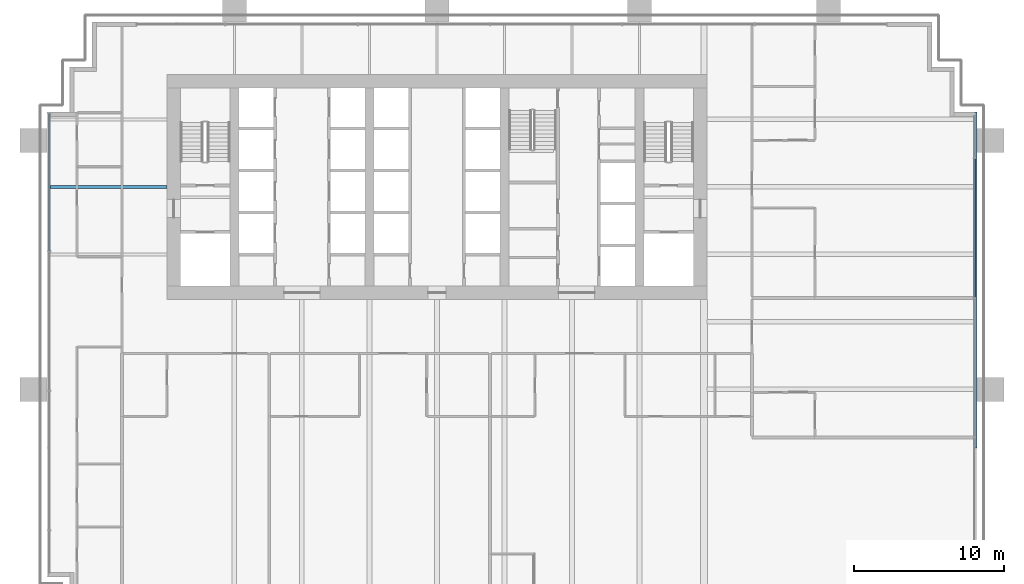
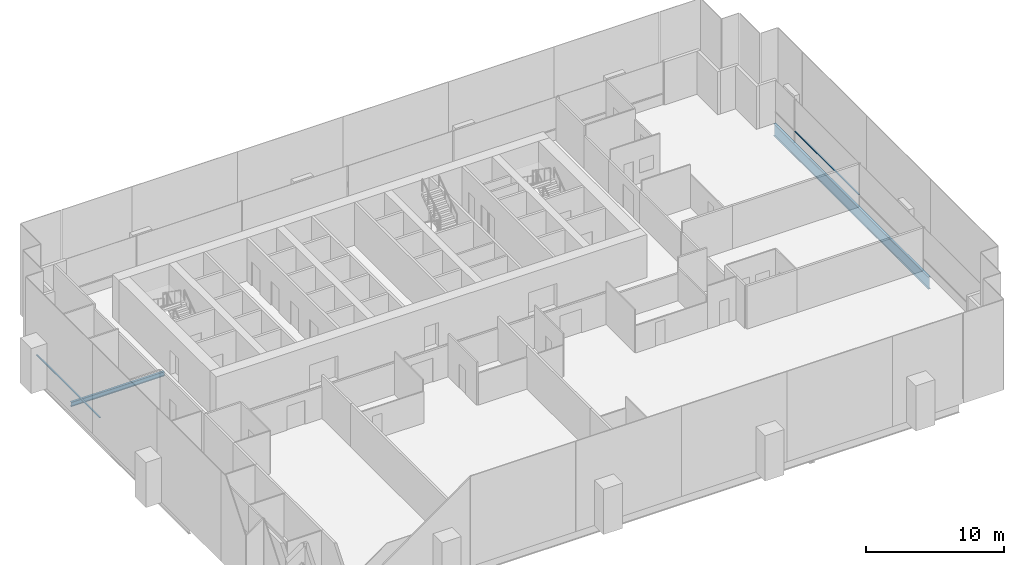
# One storey, part 7 of 19: 2 beams, 2 members, 2 elements without a shape of their own.
"""IFC4 building model written with IfcOpenShell, lengths in metres."""

from ifc_helpers import new_model, si_unit, direction, frame, origin, origin_2d, place, context, subcontext, project, spatial, rectangle, i_section, extrude, material, material_profile, profile_set, type_object, element, aggregate, save


model = new_model("IFC4")

# Units and contexts
model_context = context("Model", 3, precision=1e-05, world=origin(), true_north=direction((0.0, 1.0)))
body_context = subcontext(model_context, "Body", "Model", "MODEL_VIEW")
ifc_project = project(units=[si_unit("LENGTHUNIT", "METRE"), si_unit("AREAUNIT", "SQUARE_METRE"), si_unit("VOLUMEUNIT", "CUBIC_METRE"), si_unit("PLANEANGLEUNIT", "RADIAN"), si_unit("MASSUNIT", "GRAM", prefix="KILO")], contexts=[model_context])

# Site, building, storey
site_placement = place(None, origin())
site = spatial("IfcSite", under=ifc_project, at=site_placement, CompositionType="ELEMENT")
building_placement = place(site_placement, origin())
building = spatial("IfcBuilding", under=site, at=building_placement, Name="Rattan Terrace Tower", CompositionType="ELEMENT")
storey_placement = place(building_placement, frame((0.0, 0.0, 79.699951171875)))
storey = spatial("IfcBuildingStorey", under=building, at=storey_placement, Name="L17", CompositionType="ELEMENT", Elevation=79.699951171875)

# Curtain wall, member
ifc_material_1 = material(Name="Aluminium and glass", Category="aluminium")
curtain_wall_type = type_object("IfcCurtainWallType", Name="Facade Unitised Curtain Wall", PredefinedType="NOTDEFINED", material=ifc_material_1)
curtain_wall_1_placement = place(storey_placement, origin())
curtain_wall_1 = element("IfcCurtainWall", 1, at=curtain_wall_1_placement, inside=storey, type_object=curtain_wall_type, Name="Curtain wall L17-1", PredefinedType="NOTDEFINED")
ifc_material_2 = material(Name="Aluminium", Category="aluminium")
ifc_material_profile_1 = material_profile(ifc_material_2, rectangle(XDim=0.1201171875, YDim=0.06005859375, at=origin_2d()), Name="Aluminium 120x60")
ifc_profile_set_1 = profile_set([ifc_material_profile_1], Name="Aluminium")
member_type = type_object("IfcMemberType", Name="Facade CW Transom 120x60", PredefinedType="USERDEFINED", material=ifc_profile_set_1)
member_1_placement = place(storey_placement, frame((35.830078125, -7.3701171875, 1.0), z_axis=(0.0, 1.0, 0.0), x_axis=(-1.0, 0.0, 0.0)))
member_1 = element("IfcMember", 2, at=member_1_placement, type_object=member_type, Name="Transom cwl-L17-001.3", ObjectType="TRANSOM", PredefinedType="USERDEFINED", context=body_context, shape_type="SweptSolid", body=[
    extrude(rectangle(XDim=0.1201171875, YDim=0.06005859375, at=origin_2d()), origin(), (0.0, 0.0, 1.0), 9.240234375),
])
aggregate(curtain_wall_1, [member_1])

curtain_wall_2_placement = place(storey_placement, origin())
curtain_wall_2 = element("IfcCurtainWall", 3, at=curtain_wall_2_placement, inside=storey, type_object=curtain_wall_type, Name="Curtain wall L17-3", PredefinedType="NOTDEFINED")
member_2_placement = place(storey_placement, frame((-25.830078125, 4.89501953125, 1.0), z_axis=(0.0, -1.0, 0.0), x_axis=(1.0, 0.0, 0.0)))
member_2 = element("IfcMember", 4, at=member_2_placement, type_object=member_type, Name="Transom cwl-L17-003.1", ObjectType="TRANSOM", PredefinedType="USERDEFINED", context=body_context, shape_type="SweptSolid", body=[
    extrude(rectangle(XDim=0.1201171875, YDim=0.06005859375, at=origin_2d()), origin(), (0.0, 0.0, 1.0), 9.1650390625),
])
aggregate(curtain_wall_2, [member_2])

# Beams
ifc_material_3 = material(Name="Steel S460", Category="steel")
ifc_material_profile_2 = material_profile(ifc_material_3, i_section(OverallWidth=0.179931640625, OverallDepth=1.10009765625, WebThickness=0.01611328125, FlangeThickness=0.050048828125, at=origin_2d()), Name="PG 1100x180-16-50")
ifc_profile_set_2 = profile_set([ifc_material_profile_2], Name="Steel S460")
beam_type_1 = type_object("IfcBeamType", Name="Frame edge girder PG 1100x180-16-50", PredefinedType="SPANDREL", material=ifc_profile_set_2)
beam_1_placement = place(storey_placement, frame((35.909912109375, 5.0, -0.75), z_axis=(0.0, -1.0, 0.0), x_axis=(1.0, 0.0, 0.0)))
element("IfcBeam", 5, at=beam_1_placement, inside=storey, type_object=beam_type_1, Name="gdr-L17-005", PredefinedType="SPANDREL", context=body_context, shape_type="SweptSolid", body=[
    extrude(i_section(OverallWidth=0.179931640625, OverallDepth=1.10009765625, WebThickness=0.01611328125, FlangeThickness=0.050048828125, at=origin_2d()), origin(), (0.0, 0.0, 1.0), 22.39990234375),
])
ifc_material_4 = material(Name="Steel S355", Category="steel")
ifc_material_profile_3 = material_profile(ifc_material_4, i_section(OverallWidth=0.179931640625, OverallDepth=0.39990234375, WebThickness=0.008544921875, FlangeThickness=0.013427734375, FilletRadius=0.02099609375, at=origin_2d()), Name="IPE 400")
ifc_profile_set_3 = profile_set([ifc_material_profile_3], Name="Steel S355")
beam_type_2 = type_object("IfcBeamType", Name="Frame floor beam IPE 400", PredefinedType="JOIST", material=ifc_profile_set_3)
beam_2_placement = place(storey_placement, frame((-25.820068359375, 0.0, -0.39990234375), z_axis=(1.0, 0.0, 0.0), x_axis=(0.0, 1.0, 0.0)))
element("IfcBeam", 6, at=beam_2_placement, inside=storey, type_object=beam_type_2, Name="bm-L17-014", PredefinedType="JOIST", context=body_context, shape_type="SweptSolid", body=[
    extrude(i_section(OverallWidth=0.179931640625, OverallDepth=0.39990234375, WebThickness=0.008544921875, FlangeThickness=0.013427734375, FilletRadius=0.02099609375, at=origin_2d()), origin(), (0.0, 0.0, 1.0), 7.820068359375),
])

save(model, "model.ifc")
